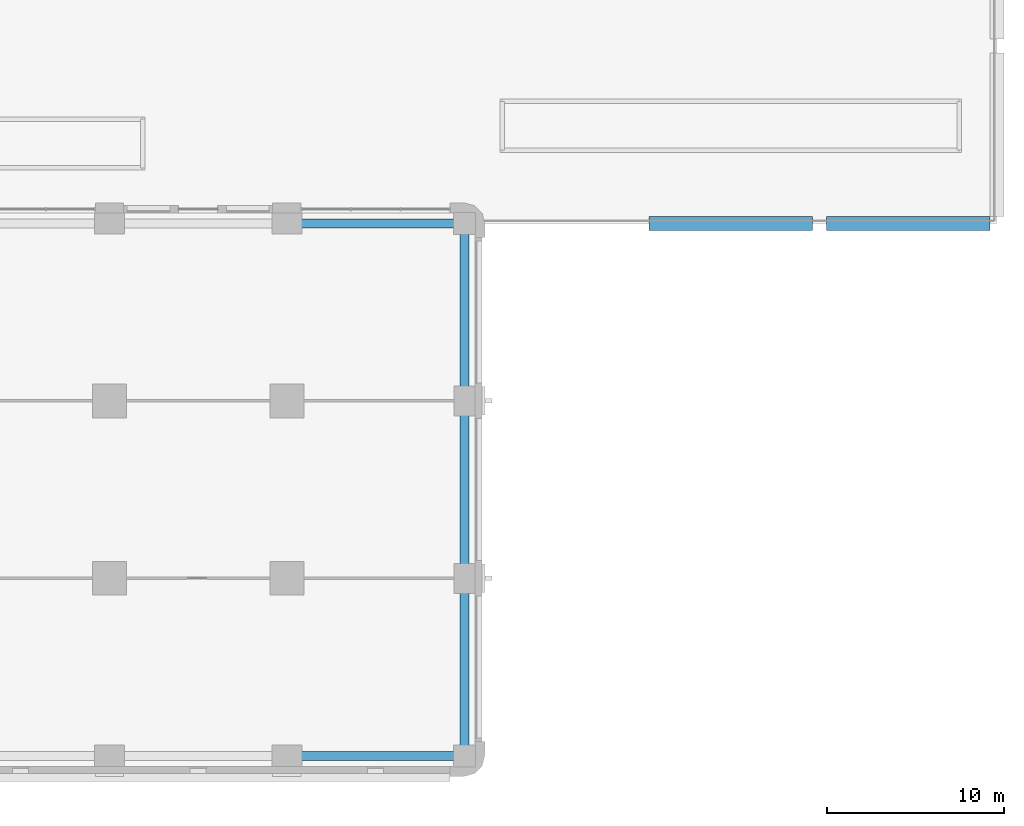
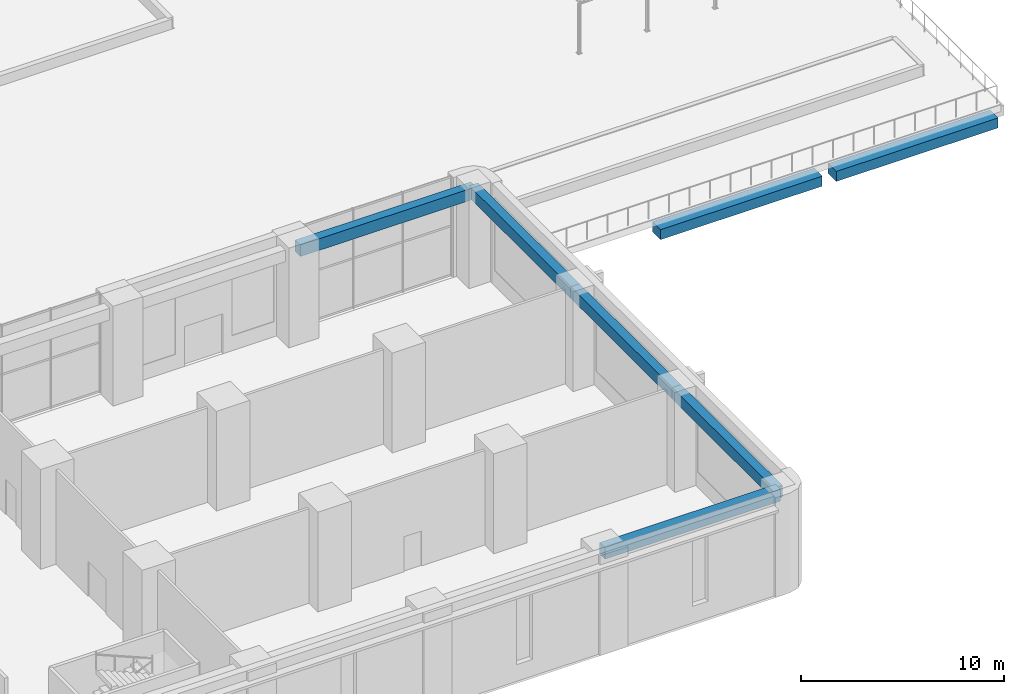
# One storey, part 9 of 28: 7 beams.
"""IFC4 building model written with IfcOpenShell, lengths in metres."""

from ifc_helpers import new_model, si_unit, direction, frame, origin, origin_2d, place, context, subcontext, project, spatial, rectangle, extrude, material, material_profile, profile_set, type_object, element, save


model = new_model("IFC4")

# Units and contexts
model_context = context("Model", 3, precision=1e-05, world=origin(), true_north=direction((0.0, 1.0)))
body_context = subcontext(model_context, "Body", "Model", "MODEL_VIEW")
ifc_project = project(units=[si_unit("LENGTHUNIT", "METRE"), si_unit("AREAUNIT", "SQUARE_METRE"), si_unit("VOLUMEUNIT", "CUBIC_METRE"), si_unit("PLANEANGLEUNIT", "RADIAN"), si_unit("MASSUNIT", "GRAM", prefix="KILO")], contexts=[model_context])

# Site, building, storey
site_placement = place(None, origin())
site = spatial("IfcSite", under=ifc_project, at=site_placement, CompositionType="ELEMENT")
building_placement = place(site_placement, origin())
building = spatial("IfcBuilding", under=site, at=building_placement, Name="Qaws Garden Tower", CompositionType="ELEMENT")
storey_placement = place(building_placement, frame((0.0, 0.0, 6.0)))
storey = spatial("IfcBuildingStorey", under=building, at=storey_placement, Name="L01", CompositionType="ELEMENT", Elevation=6.0)

# Beams
ifc_material_1 = material(Name="Concrete C45", Category="concrete")
ifc_material_profile_1 = material_profile(ifc_material_1, rectangle(XDim=0.800048828125, YDim=0.60009765625, at=origin_2d()), Name="Edge beam 800 x 600")
ifc_profile_set_1 = profile_set([ifc_material_profile_1], Name="Concrete C45")
beam_type_1 = type_object("IfcBeamType", Name="Edge beam 800 x 600", PredefinedType="BEAM", material=ifc_profile_set_1)
for number, where, z_axis, x_axis, name in (
    (1, (80.39990234375, 30.0, -0.75), (1.0, 0.0, 0.0), (0.0, 1.0, 0.0), "Deck edge beam 9"),
    (2, (90.39990234375, 30.0, -0.75), (1.0, 0.0, 0.0), (0.0, 1.0, 0.0), "Deck edge beam 11"),
):
    element("IfcBeam", number, at=place(storey_placement, frame(where, z_axis=z_axis, x_axis=x_axis)), inside=storey, type_object=beam_type_1, Name=name, PredefinedType="BEAM", context=body_context, shape_type="SweptSolid", body=[
        extrude(rectangle(XDim=0.800048828125, YDim=0.60009765625, at=origin_2d()), origin(), (0.0, 0.0, 1.0), 9.2001953125),
    ])
ifc_material_2 = material(Name="Concrete C45", Category="concrete")
ifc_material_profile_2 = material_profile(ifc_material_2, rectangle(XDim=0.5, YDim=0.699951171875, at=origin_2d()), Name="RC 500x700")
ifc_profile_set_2 = profile_set([ifc_material_profile_2], Name="Concrete C45")
beam_type_2 = type_object("IfcBeamType", Name="Spandrel beam RC 500x700 C45", PredefinedType="SPANDREL", material=ifc_profile_set_2)
for number, where, z_axis, x_axis, name in (
    (3, (60.0, 0.0, 5.330078125), (1.0, 0.0, 0.0), (0.0, 1.0, 0.0), "Spandrel beam L01-005"),
    (4, (70.0, 0.0, 5.330078125), (0.0, 1.0, 0.0), (-1.0, 0.0, 0.0), "Spandrel beam L01-006"),
    (5, (70.0, 10.0, 5.330078125), (0.0, 1.0, 0.0), (-1.0, 0.0, 0.0), "Spandrel beam L01-007"),
    (6, (70.0, 20.0, 5.330078125), (0.0, 1.0, 0.0), (-1.0, 0.0, 0.0), "Spandrel beam L01-008"),
    (7, (70.0, 30.0, 5.330078125), (-1.0, 0.0, 0.0), (0.0, -1.0, 0.0), "Spandrel beam L01-009"),
):
    element("IfcBeam", number, at=place(storey_placement, frame(where, z_axis=z_axis, x_axis=x_axis)), inside=storey, type_object=beam_type_2, Name=name, PredefinedType="SPANDREL", context=body_context, shape_type="SweptSolid", body=[
        extrude(rectangle(XDim=0.5, YDim=0.699951171875, at=origin_2d()), origin(), (0.0, 0.0, 1.0), 10.0),
    ])

save(model, "model.ifc")
